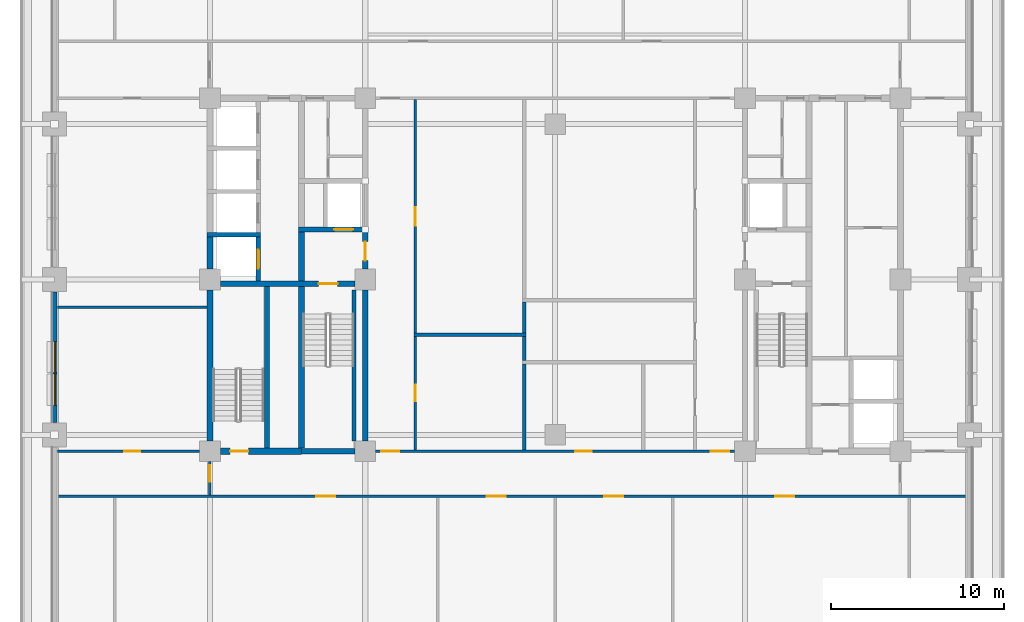
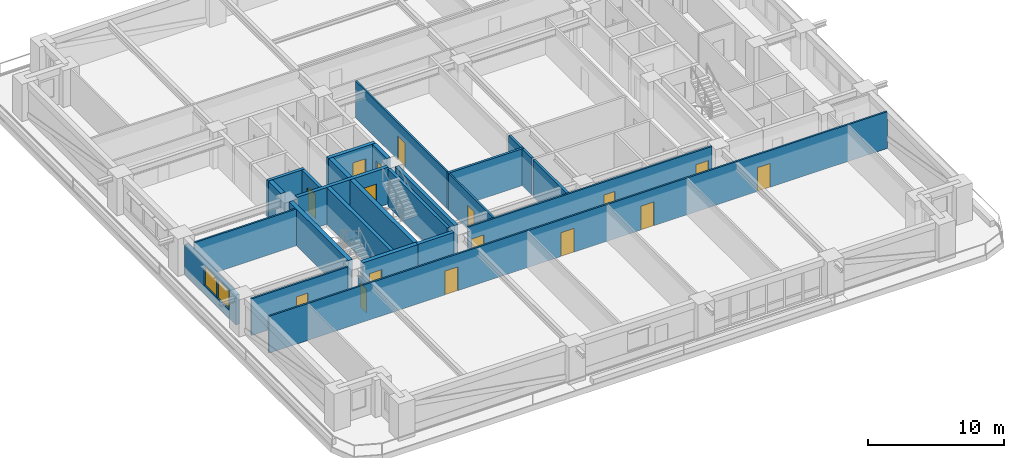
# One storey, part 8 of 20: 26 walls, 16 doors, 2 windows, 18 openings.
"""IFC4 building model written with IfcOpenShell, lengths in metres."""

from ifc_helpers import new_model, si_unit, direction, frame, frame_2d, origin, place, context, subcontext, project, spatial, rectangle, extrude, material, layer, layer_set, type_object, element, fill, save


model = new_model("IFC4")

# Units and contexts
model_context = context("Model", 3, precision=1e-05, world=origin(), true_north=direction((0.0, 1.0)))
body_context = subcontext(model_context, "Body", "Model", "MODEL_VIEW")
ifc_project = project(units=[si_unit("LENGTHUNIT", "METRE"), si_unit("AREAUNIT", "SQUARE_METRE"), si_unit("VOLUMEUNIT", "CUBIC_METRE"), si_unit("PLANEANGLEUNIT", "RADIAN"), si_unit("MASSUNIT", "GRAM", prefix="KILO")], contexts=[model_context])

# Site, building, storey
site_placement = place(None, origin())
site = spatial("IfcSite", under=ifc_project, at=site_placement, CompositionType="ELEMENT")
building_placement = place(site_placement, origin())
building = spatial("IfcBuilding", under=site, at=building_placement, Name="Zulmaris Gate Convention Tower", CompositionType="ELEMENT")
storey_placement = place(building_placement, frame((0.0, 0.0, 71.469970703125)))
storey = spatial("IfcBuildingStorey", under=building, at=storey_placement, Name="L17", CompositionType="ELEMENT", Elevation=71.469970703125)

# Wall
ifc_material_1 = material(Name="Concrete C50/60", Category="concrete")
ifc_layer_1 = layer(ifc_material_1, 0.25, Name="Concrete C50/60")
ifc_layer_set_1 = layer_set([ifc_layer_1], Name="Concrete C50/60")
wall_type_1 = type_object("IfcWallType", Name="CORE-250", PredefinedType="SOLIDWALL", material=ifc_layer_set_1)
wall_1_placement = place(storey_placement, frame((-20.175048828125, 2.60009765625, 0.0), z_axis=(0.0, 0.0, 1.0), x_axis=(1.0, 0.0, 0.0)))
element("IfcWall", 1, at=wall_1_placement, inside=storey, type_object=wall_type_1, Name="WL-L17-009", PredefinedType="SOLIDWALL", context=body_context, shape_type="SweptSolid", body=[
    extrude(rectangle(XDim=3.10009765625, YDim=0.25, at=frame_2d((1.550048828125, 0.0))), origin(), (0.0, 0.0, 1.0), 3.320068359375),
])

# Wall, opening, door
wall_2_placement = place(storey_placement, frame((-17.199951171875, -0.097900390625, 0.0), z_axis=(0.0, 0.0, 1.0), x_axis=(0.0, 1.0, 0.0)))
wall_2 = element("IfcWall", 2, at=wall_2_placement, inside=storey, type_object=wall_type_1, Name="WL-L17-042", PredefinedType="SOLIDWALL", context=body_context, shape_type="SweptSolid", body=[
    extrude(rectangle(XDim=2.57080078125, YDim=0.25, at=frame_2d((1.285400390625, 0.0))), origin(), (0.0, 0.0, 1.0), 3.320068359375),
])
opening_1_placement = place(wall_2_placement, frame((0.722900390625, 0.0, 0.0)))
opening_1 = element("IfcOpeningElement", 3, at=opening_1_placement, cuts=wall_2, Name="Opening D-06", PredefinedType="OPENING", context=body_context, shape_type="SweptSolid", body=[
    extrude(rectangle(XDim=1.10009765625, YDim=2.199951171875, at=frame_2d((0.550048828125, 1.10009765625))), frame((0.0, 0.135009765625, 0.0), z_axis=(0.0, -1.0, 0.0), x_axis=(1.0, 0.0, 0.0)), (0.0, 0.0, 1.0), 0.27001953125),
])
ifc_material_2 = material(Name="Brushed Stainless Steel", Category="steel")
door_type_1 = type_object("IfcDoorType", Name="LD-1100", OperationType="NOTDEFINED", PredefinedType="DOOR", material=ifc_material_2)
door_1_placement = place(opening_1_placement, origin())
door_1 = element("IfcDoor", 4, at=door_1_placement, inside=storey, type_object=door_type_1, Name="L17 Lift Landing Door LP-01 15", OperationType="SLIDING_TO_LEFT", OverallHeight=2.199951171875, OverallWidth=1.10009765625, PredefinedType="DOOR", context=body_context, shape_type="SweptSolid", body=[
    extrude(rectangle(XDim=1.10009765625, YDim=2.199951171875, at=frame_2d((0.550048828125, 1.10009765625))), frame((0.0, 0.02490234375, 0.0), z_axis=(0.0, -1.0, 0.0), x_axis=(1.0, 0.0, 0.0)), (0.0, 0.0, 1.0), 0.050048828125),
])
fill(opening_1, door_1)

# Walls
wall_3_placement = place(storey_placement, frame((-11.64990234375, -9.345947265625, 0.0), z_axis=(0.0, 0.0, 1.0), x_axis=(0.0, 1.0, 0.0)))
element("IfcWall", 5, at=wall_3_placement, inside=storey, type_object=wall_type_1, Name="WL-L17-052", PredefinedType="SOLIDWALL", context=body_context, shape_type="SweptSolid", body=[
    extrude(rectangle(XDim=8.741943359375, YDim=0.25, at=frame_2d((4.37109375, 0.0))), origin(), (0.0, 0.0, 1.0), 3.320068359375),
])
ifc_layer_2 = layer(ifc_material_1, 0.300048828125, Name="Concrete C50/60")
ifc_layer_set_2 = layer_set([ifc_layer_2], Name="Concrete C50/60")
wall_type_2 = type_object("IfcWallType", Name="CORE-300", PredefinedType="SHEAR", material=ifc_layer_set_2)
wall_4_placement = place(storey_placement, frame((-14.699951171875, -9.949951171875, 0.0), z_axis=(0.0, 0.0, 1.0), x_axis=(1.0, 0.0, 0.0)))
element("IfcWall", 6, at=wall_4_placement, inside=storey, type_object=wall_type_2, Name="WL-L17-002", PredefinedType="SHEAR", context=body_context, shape_type="SweptSolid", body=[
    extrude(rectangle(XDim=3.095947265625, YDim=0.300048828125, at=frame_2d((1.5478515625, 0.0))), origin(), (0.0, 0.0, 1.0), 3.320068359375),
])

# Wall, opening, door
wall_5_placement = place(storey_placement, frame((-19.39599609375, -0.25, 0.0), z_axis=(0.0, 0.0, 1.0), x_axis=(1.0, 0.0, 0.0)))
wall_5 = element("IfcWall", 7, at=wall_5_placement, inside=storey, type_object=wall_type_2, Name="WL-L17-007", PredefinedType="SHEAR", context=body_context, shape_type="SweptSolid", body=[
    extrude(rectangle(XDim=7.7919921875, YDim=0.300048828125, at=frame_2d((3.89599609375, 0.0))), origin(), (0.0, 0.0, 1.0), 3.320068359375),
])
opening_2_placement = place(wall_5_placement, frame((5.696044921875, 0.0, 0.0)))
opening_2 = element("IfcOpeningElement", 8, at=opening_2_placement, cuts=wall_5, Name="Opening D-08", PredefinedType="OPENING", context=body_context, shape_type="SweptSolid", body=[
    extrude(rectangle(XDim=1.10009765625, YDim=2.14990234375, at=frame_2d((0.550048828125, 1.074951171875))), frame((0.0, 0.16015625, 0.0), z_axis=(0.0, -1.0, 0.0), x_axis=(1.0, 0.0, 0.0)), (0.0, 0.0, 1.0), 0.320068359375),
])
ifc_material_3 = material(Name="Fire-Rated Steel", Category="steel")
door_type_2 = type_object("IfcDoorType", Name="DR-1100-FD", OperationType="NOTDEFINED", PredefinedType="DOOR", material=ifc_material_3)
door_2_placement = place(opening_2_placement, origin())
door_2 = element("IfcDoor", 9, at=door_2_placement, inside=storey, type_object=door_type_2, Name="L17 Exit Stair ST-1 Door 01", OperationType="SINGLE_SWING_RIGHT", OverallHeight=2.14990234375, OverallWidth=1.10009765625, PredefinedType="DOOR", context=body_context, shape_type="SweptSolid", body=[
    extrude(rectangle(XDim=1.10009765625, YDim=2.14990234375, at=frame_2d((0.550048828125, 1.074951171875))), frame((0.0, 0.02490234375, 0.0), z_axis=(0.0, -1.0, 0.0), x_axis=(1.0, 0.0, 0.0)), (0.0, 0.0, 1.0), 0.050048828125),
])
fill(opening_2, door_2)

wall_6_placement = place(storey_placement, frame((-14.875, 2.89990234375, 0.0), z_axis=(0.0, 0.0, 1.0), x_axis=(1.0, 0.0, 0.0)))
wall_6 = element("IfcWall", 10, at=wall_6_placement, inside=storey, type_object=wall_type_2, Name="WL-L17-010", PredefinedType="SHEAR", context=body_context, shape_type="SweptSolid", body=[
    extrude(rectangle(XDim=4.02490234375, YDim=0.300048828125, at=frame_2d((2.012451171875, 0.0))), origin(), (0.0, 0.0, 1.0), 3.320068359375),
])
opening_3_placement = place(wall_6_placement, frame((2.074951171875, 0.0, 0.0)))
opening_3 = element("IfcOpeningElement", 11, at=opening_3_placement, cuts=wall_6, Name="Opening D-06", PredefinedType="OPENING", context=body_context, shape_type="SweptSolid", body=[
    extrude(rectangle(XDim=1.10009765625, YDim=2.199951171875, at=frame_2d((0.550048828125, 1.10009765625))), frame((0.0, 0.16015625, 0.0), z_axis=(0.0, -1.0, 0.0), x_axis=(1.0, 0.0, 0.0)), (0.0, 0.0, 1.0), 0.320068359375),
])
door_3_placement = place(opening_3_placement, origin())
door_3 = element("IfcDoor", 12, at=door_3_placement, inside=storey, type_object=door_type_1, Name="L17 Lift Landing Door LF-01 03", OperationType="SLIDING_TO_LEFT", OverallHeight=2.199951171875, OverallWidth=1.10009765625, PredefinedType="DOOR", context=body_context, shape_type="SweptSolid", body=[
    extrude(rectangle(XDim=1.10009765625, YDim=2.199951171875, at=frame_2d((0.550048828125, 1.10009765625))), frame((0.0, 0.02490234375, 0.0), z_axis=(0.0, -1.0, 0.0), x_axis=(1.0, 0.0, 0.0)), (0.0, 0.0, 1.0), 0.050048828125),
])
fill(opening_3, door_3)

# Walls
wall_7_placement = place(storey_placement, frame((-16.699951171875, -9.77294921875, 0.0), z_axis=(0.0, 0.0, 1.0), x_axis=(0.0, 1.0, 0.0)))
element("IfcWall", 13, at=wall_7_placement, inside=storey, type_object=wall_type_2, Name="WL-L17-046", PredefinedType="SHEAR", context=body_context, shape_type="SweptSolid", body=[
    extrude(rectangle(XDim=9.370849609375, YDim=0.300048828125, at=frame_2d((4.685546875, 0.0))), origin(), (0.0, 0.0, 1.0), 3.320068359375),
])
wall_8_placement = place(storey_placement, frame((-11.0, -9.345947265625, 0.0), z_axis=(0.0, 0.0, 1.0), x_axis=(0.0, 1.0, 0.0)))
element("IfcWall", 14, at=wall_8_placement, inside=storey, type_object=wall_type_2, Name="WL-L17-053", PredefinedType="SHEAR", context=body_context, shape_type="SweptSolid", body=[
    extrude(rectangle(XDim=8.741943359375, YDim=0.300048828125, at=frame_2d((4.37109375, 0.0))), origin(), (0.0, 0.0, 1.0), 3.320068359375),
])

# Wall, opening, door
wall_9_placement = place(storey_placement, frame((-11.0, 0.60400390625, 0.0), z_axis=(0.0, 0.0, 1.0), x_axis=(0.0, 1.0, 0.0)))
wall_9 = element("IfcWall", 15, at=wall_9_placement, inside=storey, type_object=wall_type_2, Name="WL-L17-054", PredefinedType="SHEAR", context=body_context, shape_type="SweptSolid", body=[
    extrude(rectangle(XDim=2.14404296875, YDim=0.300048828125, at=frame_2d((1.072021484375, 0.0))), origin(), (0.0, 0.0, 1.0), 3.320068359375),
])
opening_4_placement = place(wall_9_placement, frame((0.49609375, 0.0, 0.0)))
opening_4 = element("IfcOpeningElement", 16, at=opening_4_placement, cuts=wall_9, Name="Opening D-08", PredefinedType="OPENING", context=body_context, shape_type="SweptSolid", body=[
    extrude(rectangle(XDim=1.10009765625, YDim=2.14990234375, at=frame_2d((0.550048828125, 1.074951171875))), frame((0.0, 0.16015625, 0.0), z_axis=(0.0, -1.0, 0.0), x_axis=(1.0, 0.0, 0.0)), (0.0, 0.0, 1.0), 0.320068359375),
])
door_4_placement = place(opening_4_placement, origin())
door_4 = element("IfcDoor", 17, at=door_4_placement, inside=storey, type_object=door_type_2, Name="L17 West Firefighting Lobby Door 02", OperationType="SINGLE_SWING_LEFT", OverallHeight=2.14990234375, OverallWidth=1.10009765625, PredefinedType="DOOR", context=body_context, shape_type="SweptSolid", body=[
    extrude(rectangle(XDim=1.10009765625, YDim=2.14990234375, at=frame_2d((0.550048828125, 1.074951171875))), frame((0.0, 0.02490234375, 0.0), z_axis=(0.0, -1.0, 0.0), x_axis=(1.0, 0.0, 0.0)), (0.0, 0.0, 1.0), 0.050048828125),
])
fill(opening_4, door_4)

ifc_material_4 = material(Name="Concrete C55/67", Category="concrete")
ifc_layer_3 = layer(ifc_material_4, 0.35009765625, Name="Concrete C55/67")
ifc_layer_set_3 = layer_set([ifc_layer_3], Name="Concrete C55/67")
wall_type_3 = type_object("IfcWallType", Name="CORE-350", PredefinedType="SHEAR", material=ifc_layer_set_3)
wall_10_placement = place(storey_placement, frame((-19.39599609375, -9.949951171875, 0.0), z_axis=(0.0, 0.0, 1.0), x_axis=(1.0, 0.0, 0.0)))
wall_10 = element("IfcWall", 18, at=wall_10_placement, inside=storey, type_object=wall_type_3, Name="WL-L17-001", PredefinedType="SHEAR", context=body_context, shape_type="SweptSolid", body=[
    extrude(rectangle(XDim=4.696044921875, YDim=0.35009765625, at=frame_2d((2.34814453125, 0.0))), origin(), (0.0, 0.0, 1.0), 3.320068359375),
])
opening_5_placement = place(wall_10_placement, frame((0.571044921875, 0.0, 0.0)))
opening_5 = element("IfcOpeningElement", 19, at=opening_5_placement, cuts=wall_10, Name="Opening D-09", PredefinedType="OPENING", context=body_context, shape_type="SweptSolid", body=[
    extrude(rectangle(XDim=1.050048828125, YDim=2.14990234375, at=frame_2d((0.52490234375, 1.074951171875))), frame((0.0, 0.18505859375, 0.0), z_axis=(0.0, -1.0, 0.0), x_axis=(1.0, 0.0, 0.0)), (0.0, 0.0, 1.0), 0.3701171875),
])
door_type_3 = type_object("IfcDoorType", Name="DR-1050-FD", OperationType="NOTDEFINED", PredefinedType="DOOR", material=ifc_material_3)
door_5_placement = place(opening_5_placement, origin())
door_5 = element("IfcDoor", 20, at=door_5_placement, inside=storey, type_object=door_type_3, Name="L17 Exit Stair ST-3 Door 13", OperationType="SINGLE_SWING_RIGHT", OverallHeight=2.14990234375, OverallWidth=1.050048828125, PredefinedType="DOOR", context=body_context, shape_type="SweptSolid", body=[
    extrude(rectangle(XDim=1.050048828125, YDim=2.14990234375, at=frame_2d((0.52490234375, 1.074951171875))), frame((0.0, 0.02490234375, 0.0), z_axis=(0.0, -1.0, 0.0), x_axis=(1.0, 0.0, 0.0)), (0.0, 0.0, 1.0), 0.050048828125),
])
fill(opening_5, door_5)

# Walls
wall_11_placement = place(storey_placement, frame((-20.0, -9.345947265625, 0.0), z_axis=(0.0, 0.0, 1.0), x_axis=(0.0, 1.0, 0.0)))
element("IfcWall", 21, at=wall_11_placement, inside=storey, type_object=wall_type_3, Name="WL-L17-037", PredefinedType="SHEAR", context=body_context, shape_type="SweptSolid", body=[
    extrude(rectangle(XDim=8.741943359375, YDim=0.35009765625, at=frame_2d((4.37109375, 0.0))), origin(), (0.0, 0.0, 1.0), 3.320068359375),
])
wall_12_placement = place(storey_placement, frame((-20.0, 0.60400390625, 0.0), z_axis=(0.0, 0.0, 1.0), x_axis=(0.0, 1.0, 0.0)))
element("IfcWall", 22, at=wall_12_placement, inside=storey, type_object=wall_type_3, Name="WL-L17-038", PredefinedType="SHEAR", context=body_context, shape_type="SweptSolid", body=[
    extrude(rectangle(XDim=1.868896484375, YDim=0.35009765625, at=frame_2d((0.9345703125, 0.0))), origin(), (0.0, 0.0, 1.0), 3.320068359375),
])
wall_13_placement = place(storey_placement, frame((-14.699951171875, -9.77294921875, 0.0), z_axis=(0.0, 0.0, 1.0), x_axis=(0.0, 1.0, 0.0)))
element("IfcWall", 23, at=wall_13_placement, inside=storey, type_object=wall_type_3, Name="WL-L17-047", PredefinedType="SHEAR", context=body_context, shape_type="SweptSolid", body=[
    extrude(rectangle(XDim=9.370849609375, YDim=0.35009765625, at=frame_2d((4.685546875, 0.0))), origin(), (0.0, 0.0, 1.0), 3.320068359375),
])
wall_14_placement = place(storey_placement, frame((-14.699951171875, -0.097900390625, 0.0), z_axis=(0.0, 0.0, 1.0), x_axis=(0.0, 1.0, 0.0)))
element("IfcWall", 24, at=wall_14_placement, inside=storey, type_object=wall_type_3, Name="WL-L17-048", PredefinedType="SHEAR", context=body_context, shape_type="SweptSolid", body=[
    extrude(rectangle(XDim=2.845947265625, YDim=0.35009765625, at=frame_2d((1.4228515625, 0.0))), origin(), (0.0, 0.0, 1.0), 3.320068359375),
])

# Wall, openings, doors
ifc_material_5 = material(Name="Gypsum Metal Stud Partition")
ifc_layer_4 = layer(ifc_material_5, 0.14990234375, Name="Gypsum Metal Stud Partition")
ifc_layer_set_4 = layer_set([ifc_layer_4], Name="Gypsum Metal Stud Partition")
wall_type_4 = type_object("IfcWallType", Name="PART-150", PredefinedType="PARTITIONING", material=ifc_layer_set_4)
wall_15_placement = place(storey_placement, frame((-28.8349609375, -12.550048828125, 0.0), z_axis=(0.0, 0.0, 1.0), x_axis=(1.0, 0.0, 0.0)))
wall_15 = element("IfcWall", 25, at=wall_15_placement, inside=storey, type_object=wall_type_4, Name="WL-L17-020", PredefinedType="PARTITIONING", context=body_context, shape_type="SweptSolid", body=[
    extrude(rectangle(XDim=52.669921875, YDim=0.14990234375, at=frame_2d((26.3349609375, 0.0))), origin(), (0.0, 0.0, 1.0), 3.320068359375),
])
opening_6_placement = place(wall_15_placement, frame((14.985107421875, 0.0, 0.0)))
opening_6 = element("IfcOpeningElement", 26, at=opening_6_placement, cuts=wall_15, Name="Opening D-08", PredefinedType="OPENING", context=body_context, shape_type="SweptSolid", body=[
    extrude(rectangle(XDim=1.10009765625, YDim=2.14990234375, at=frame_2d((0.550048828125, 1.074951171875))), frame((0.0, 0.0849609375, 0.0), z_axis=(0.0, -1.0, 0.0), x_axis=(1.0, 0.0, 0.0)), (0.0, 0.0, 1.0), 0.169921875),
])
opening_7_placement = place(wall_15_placement, frame((24.885009765625, 0.0, 0.0)))
opening_7 = element("IfcOpeningElement", 27, at=opening_7_placement, cuts=wall_15, Name="Opening D-08", PredefinedType="OPENING", context=body_context, shape_type="SweptSolid", body=[
    extrude(rectangle(XDim=1.10009765625, YDim=2.14990234375, at=frame_2d((0.550048828125, 1.074951171875))), frame((0.0, 0.0849609375, 0.0), z_axis=(0.0, -1.0, 0.0), x_axis=(1.0, 0.0, 0.0)), (0.0, 0.0, 1.0), 0.169921875),
])
opening_8_placement = place(wall_15_placement, frame((31.68505859375, 0.0, 0.0)))
opening_8 = element("IfcOpeningElement", 28, at=opening_8_placement, cuts=wall_15, Name="Opening D-08", PredefinedType="OPENING", context=body_context, shape_type="SweptSolid", body=[
    extrude(rectangle(XDim=1.10009765625, YDim=2.14990234375, at=frame_2d((0.550048828125, 1.074951171875))), frame((0.0, 0.0849609375, 0.0), z_axis=(0.0, -1.0, 0.0), x_axis=(1.0, 0.0, 0.0)), (0.0, 0.0, 1.0), 0.169921875),
])
opening_9_placement = place(wall_15_placement, frame((41.5849609375, 0.0, 0.0)))
opening_9 = element("IfcOpeningElement", 29, at=opening_9_placement, cuts=wall_15, Name="Opening D-08", PredefinedType="OPENING", context=body_context, shape_type="SweptSolid", body=[
    extrude(rectangle(XDim=1.10009765625, YDim=2.14990234375, at=frame_2d((0.550048828125, 1.074951171875))), frame((0.0, 0.0849609375, 0.0), z_axis=(0.0, -1.0, 0.0), x_axis=(1.0, 0.0, 0.0)), (0.0, 0.0, 1.0), 0.169921875),
])
door_6_placement = place(opening_6_placement, origin())
door_6 = element("IfcDoor", 30, at=door_6_placement, inside=storey, type_object=door_type_2, Name="L17 West Sky-Garden Workplace Studio Door 30", OperationType="SINGLE_SWING_LEFT", OverallHeight=2.14990234375, OverallWidth=1.10009765625, PredefinedType="DOOR", context=body_context, shape_type="SweptSolid", body=[
    extrude(rectangle(XDim=1.10009765625, YDim=2.14990234375, at=frame_2d((0.550048828125, 1.074951171875))), frame((0.0, 0.02490234375, 0.0), z_axis=(0.0, -1.0, 0.0), x_axis=(1.0, 0.0, 0.0)), (0.0, 0.0, 1.0), 0.050048828125),
])
fill(opening_6, door_6)
door_7_placement = place(opening_7_placement, origin())
door_7 = element("IfcDoor", 31, at=door_7_placement, inside=storey, type_object=door_type_2, Name="L17 Sky-Garden West Conservatory Door 31", OperationType="SINGLE_SWING_RIGHT", OverallHeight=2.14990234375, OverallWidth=1.10009765625, PredefinedType="DOOR", context=body_context, shape_type="SweptSolid", body=[
    extrude(rectangle(XDim=1.10009765625, YDim=2.14990234375, at=frame_2d((0.550048828125, 1.074951171875))), frame((0.0, 0.02490234375, 0.0), z_axis=(0.0, -1.0, 0.0), x_axis=(1.0, 0.0, 0.0)), (0.0, 0.0, 1.0), 0.050048828125),
])
fill(opening_7, door_7)
door_8_placement = place(opening_8_placement, origin())
door_8 = element("IfcDoor", 32, at=door_8_placement, inside=storey, type_object=door_type_2, Name="L17 Sky-Garden Botanical Lounge Door 32", OperationType="SINGLE_SWING_LEFT", OverallHeight=2.14990234375, OverallWidth=1.10009765625, PredefinedType="DOOR", context=body_context, shape_type="SweptSolid", body=[
    extrude(rectangle(XDim=1.10009765625, YDim=2.14990234375, at=frame_2d((0.550048828125, 1.074951171875))), frame((0.0, 0.02490234375, 0.0), z_axis=(0.0, -1.0, 0.0), x_axis=(1.0, 0.0, 0.0)), (0.0, 0.0, 1.0), 0.050048828125),
])
fill(opening_8, door_8)
door_9_placement = place(opening_9_placement, origin())
door_9 = element("IfcDoor", 33, at=door_9_placement, inside=storey, type_object=door_type_2, Name="L17 East Botanical Reading Pantry Door 33", OperationType="SINGLE_SWING_RIGHT", OverallHeight=2.14990234375, OverallWidth=1.10009765625, PredefinedType="DOOR", context=body_context, shape_type="SweptSolid", body=[
    extrude(rectangle(XDim=1.10009765625, YDim=2.14990234375, at=frame_2d((0.550048828125, 1.074951171875))), frame((0.0, 0.02490234375, 0.0), z_axis=(0.0, -1.0, 0.0), x_axis=(1.0, 0.0, 0.0)), (0.0, 0.0, 1.0), 0.050048828125),
])
fill(opening_9, door_9)

# Wall, opening, door
wall_16_placement = place(storey_placement, frame((-28.8349609375, -9.949951171875, 0.0), z_axis=(0.0, 0.0, 1.0), x_axis=(1.0, 0.0, 0.0)))
wall_16 = element("IfcWall", 34, at=wall_16_placement, inside=storey, type_object=wall_type_4, Name="WL-L17-021", PredefinedType="PARTITIONING", context=body_context, shape_type="SweptSolid", body=[
    extrude(rectangle(XDim=8.22900390625, YDim=0.14990234375, at=frame_2d((4.114501953125, 0.0))), origin(), (0.0, 0.0, 1.0), 3.320068359375),
])
opening_10_placement = place(wall_16_placement, frame((3.860107421875, 0.0, 0.0)))
opening_10 = element("IfcOpeningElement", 35, at=opening_10_placement, cuts=wall_16, Name="Opening D-11", PredefinedType="OPENING", context=body_context, shape_type="SweptSolid", body=[
    extrude(rectangle(XDim=0.949951171875, YDim=2.14990234375, at=frame_2d((0.47509765625, 1.074951171875))), frame((0.0, 0.0849609375, 0.0), z_axis=(0.0, -1.0, 0.0), x_axis=(1.0, 0.0, 0.0)), (0.0, 0.0, 1.0), 0.169921875),
])
ifc_material_6 = material(Name="Fire-Rated Timber", Category="wood")
door_type_4 = type_object("IfcDoorType", Name="DR-950-FD", OperationType="NOTDEFINED", PredefinedType="DOOR", material=ifc_material_6)
door_10_placement = place(opening_10_placement, origin())
door_10 = element("IfcDoor", 36, at=door_10_placement, inside=storey, type_object=door_type_4, Name="L17 SW Partner Door 43", OperationType="SINGLE_SWING_RIGHT", OverallHeight=2.14990234375, OverallWidth=0.949951171875, PredefinedType="DOOR", context=body_context, shape_type="SweptSolid", body=[
    extrude(rectangle(XDim=0.949951171875, YDim=2.14990234375, at=frame_2d((0.47509765625, 1.074951171875))), frame((0.0, 0.02490234375, 0.0), z_axis=(0.0, -1.0, 0.0), x_axis=(1.0, 0.0, 0.0)), (0.0, 0.0, 1.0), 0.050048828125),
])
fill(opening_10, door_10)

# Wall, openings, doors
wall_17_placement = place(storey_placement, frame((-10.39404296875, -9.949951171875, 0.0), z_axis=(0.0, 0.0, 1.0), x_axis=(1.0, 0.0, 0.0)))
wall_17 = element("IfcWall", 37, at=wall_17_placement, inside=storey, type_object=wall_type_4, Name="WL-L17-022", PredefinedType="PARTITIONING", context=body_context, shape_type="SweptSolid", body=[
    extrude(rectangle(XDim=20.7880859375, YDim=0.14990234375, at=frame_2d((10.39404296875, 0.0))), origin(), (0.0, 0.0, 1.0), 3.320068359375),
])
opening_11_placement = place(wall_17_placement, frame((0.319091796875, 0.0, 0.0)))
opening_11 = element("IfcOpeningElement", 38, at=opening_11_placement, cuts=wall_17, Name="Opening D-09", PredefinedType="OPENING", context=body_context, shape_type="SweptSolid", body=[
    extrude(rectangle(XDim=1.050048828125, YDim=2.14990234375, at=frame_2d((0.52490234375, 1.074951171875))), frame((0.0, 0.0849609375, 0.0), z_axis=(0.0, -1.0, 0.0), x_axis=(1.0, 0.0, 0.0)), (0.0, 0.0, 1.0), 0.169921875),
])
opening_12_placement = place(wall_17_placement, frame((19.4189453125, 0.0, 0.0)))
opening_12 = element("IfcOpeningElement", 39, at=opening_12_placement, cuts=wall_17, Name="Opening D-09", PredefinedType="OPENING", context=body_context, shape_type="SweptSolid", body=[
    extrude(rectangle(XDim=1.050048828125, YDim=2.14990234375, at=frame_2d((0.52490234375, 1.074951171875))), frame((0.0, 0.0849609375, 0.0), z_axis=(0.0, -1.0, 0.0), x_axis=(1.0, 0.0, 0.0)), (0.0, 0.0, 1.0), 0.169921875),
])
opening_13_placement = place(wall_17_placement, frame((11.569091796875, 0.0, 0.0)))
opening_13 = element("IfcOpeningElement", 40, at=opening_13_placement, cuts=wall_17, Name="Opening D-11", PredefinedType="OPENING", context=body_context, shape_type="SweptSolid", body=[
    extrude(rectangle(XDim=0.949951171875, YDim=2.14990234375, at=frame_2d((0.47509765625, 1.074951171875))), frame((0.0, 0.0849609375, 0.0), z_axis=(0.0, -1.0, 0.0), x_axis=(1.0, 0.0, 0.0)), (0.0, 0.0, 1.0), 0.169921875),
])
door_11_placement = place(opening_11_placement, origin())
door_11 = element("IfcDoor", 41, at=door_11_placement, inside=storey, type_object=door_type_3, Name="L17 SW Spine Link Door 25", OperationType="SINGLE_SWING_RIGHT", OverallHeight=2.14990234375, OverallWidth=1.050048828125, PredefinedType="DOOR", context=body_context, shape_type="SweptSolid", body=[
    extrude(rectangle(XDim=1.050048828125, YDim=2.14990234375, at=frame_2d((0.52490234375, 1.074951171875))), frame((0.0, 0.02490234375, 0.0), z_axis=(0.0, -1.0, 0.0), x_axis=(1.0, 0.0, 0.0)), (0.0, 0.0, 1.0), 0.050048828125),
])
fill(opening_11, door_11)
door_12_placement = place(opening_12_placement, origin())
door_12 = element("IfcDoor", 42, at=door_12_placement, inside=storey, type_object=door_type_3, Name="L17 SE Spine Link Door 27", OperationType="SINGLE_SWING_RIGHT", OverallHeight=2.14990234375, OverallWidth=1.050048828125, PredefinedType="DOOR", context=body_context, shape_type="SweptSolid", body=[
    extrude(rectangle(XDim=1.050048828125, YDim=2.14990234375, at=frame_2d((0.52490234375, 1.074951171875))), frame((0.0, 0.02490234375, 0.0), z_axis=(0.0, -1.0, 0.0), x_axis=(1.0, 0.0, 0.0)), (0.0, 0.0, 1.0), 0.050048828125),
])
fill(opening_12, door_12)
door_13_placement = place(opening_13_placement, origin())
door_13 = element("IfcDoor", 43, at=door_13_placement, inside=storey, type_object=door_type_4, Name="L17 Print Room Door 39", OperationType="SINGLE_SWING_RIGHT", OverallHeight=2.14990234375, OverallWidth=0.949951171875, PredefinedType="DOOR", context=body_context, shape_type="SweptSolid", body=[
    extrude(rectangle(XDim=0.949951171875, YDim=2.14990234375, at=frame_2d((0.47509765625, 1.074951171875))), frame((0.0, 0.02490234375, 0.0), z_axis=(0.0, -1.0, 0.0), x_axis=(1.0, 0.0, 0.0)), (0.0, 0.0, 1.0), 0.050048828125),
])
fill(opening_13, door_13)

# Wall
wall_18_placement = place(storey_placement, frame((-28.8349609375, -1.60009765625, 0.0), z_axis=(0.0, 0.0, 1.0), x_axis=(1.0, 0.0, 0.0)))
element("IfcWall", 44, at=wall_18_placement, inside=storey, type_object=wall_type_4, Name="WL-L17-028", PredefinedType="PARTITIONING", context=body_context, shape_type="SweptSolid", body=[
    extrude(rectangle(XDim=8.656982421875, YDim=0.14990234375, at=frame_2d((4.32861328125, 0.0))), origin(), (0.0, 0.0, 1.0), 3.320068359375),
])

# Wall, opening, door
wall_19_placement = place(storey_placement, frame((-20.0, -12.471923828125, 0.0), z_axis=(0.0, 0.0, 1.0), x_axis=(0.0, 1.0, 0.0)))
wall_19 = element("IfcWall", 45, at=wall_19_placement, inside=storey, type_object=wall_type_4, Name="WL-L17-074", PredefinedType="PARTITIONING", context=body_context, shape_type="SweptSolid", body=[
    extrude(rectangle(XDim=1.916015625, YDim=0.14990234375, at=frame_2d((0.9580078125, 0.0))), origin(), (0.0, 0.0, 1.0), 2.659912109375),
])
opening_14_placement = place(wall_19_placement, frame((0.7470703125, 0.0, 0.0)))
opening_14 = element("IfcOpeningElement", 46, at=opening_14_placement, cuts=wall_19, Name="Opening D-11", PredefinedType="OPENING", context=body_context, shape_type="SweptSolid", body=[
    extrude(rectangle(XDim=0.949951171875, YDim=2.14990234375, at=frame_2d((0.47509765625, 1.074951171875))), frame((0.0, 0.0849609375, 0.0), z_axis=(0.0, -1.0, 0.0), x_axis=(1.0, 0.0, 0.0)), (0.0, 0.0, 1.0), 0.169921875),
])
door_14_placement = place(opening_14_placement, origin())
door_14 = element("IfcDoor", 47, at=door_14_placement, inside=storey, type_object=door_type_4, Name="L17 SW Spur Door 41", OperationType="SINGLE_SWING_RIGHT", OverallHeight=2.14990234375, OverallWidth=0.949951171875, PredefinedType="DOOR", context=body_context, shape_type="SweptSolid", body=[
    extrude(rectangle(XDim=0.949951171875, YDim=2.14990234375, at=frame_2d((0.47509765625, 1.074951171875))), frame((0.0, 0.02490234375, 0.0), z_axis=(0.0, -1.0, 0.0), x_axis=(1.0, 0.0, 0.0)), (0.0, 0.0, 1.0), 0.050048828125),
])
fill(opening_14, door_14)

wall_20_placement = place(storey_placement, frame((-8.10009765625, -9.8720703125, 0.0), z_axis=(0.0, 0.0, 1.0), x_axis=(0.0, 1.0, 0.0)))
wall_20 = element("IfcWall", 48, at=wall_20_placement, inside=storey, type_object=wall_type_4, Name="WL-L17-078", PredefinedType="PARTITIONING", context=body_context, shape_type="SweptSolid", body=[
    extrude(rectangle(XDim=6.569091796875, YDim=0.14990234375, at=frame_2d((3.28466796875, 0.0))), origin(), (0.0, 0.0, 1.0), 3.320068359375),
])
opening_15_placement = place(wall_20_placement, frame((2.826904296875, 0.0, 0.0)))
opening_15 = element("IfcOpeningElement", 49, at=opening_15_placement, cuts=wall_20, Name="Opening D-11", PredefinedType="OPENING", context=body_context, shape_type="SweptSolid", body=[
    extrude(rectangle(XDim=0.949951171875, YDim=2.14990234375, at=frame_2d((0.47509765625, 1.074951171875))), frame((0.0, 0.0849609375, 0.0), z_axis=(0.0, -1.0, 0.0), x_axis=(1.0, 0.0, 0.0)), (0.0, 0.0, 1.0), 0.169921875),
])
door_15_placement = place(opening_15_placement, origin())
door_15 = element("IfcDoor", 50, at=door_15_placement, inside=storey, type_object=door_type_4, Name="L17 Wellness Pantry Door 35", OperationType="SINGLE_SWING_RIGHT", OverallHeight=2.14990234375, OverallWidth=0.949951171875, PredefinedType="DOOR", context=body_context, shape_type="SweptSolid", body=[
    extrude(rectangle(XDim=0.949951171875, YDim=2.14990234375, at=frame_2d((0.47509765625, 1.074951171875))), frame((0.0, 0.02490234375, 0.0), z_axis=(0.0, -1.0, 0.0), x_axis=(1.0, 0.0, 0.0)), (0.0, 0.0, 1.0), 0.050048828125),
])
fill(opening_15, door_15)

wall_21_placement = place(storey_placement, frame((-8.10009765625, -3.096923828125, 0.0), z_axis=(0.0, 0.0, 1.0), x_axis=(0.0, 1.0, 0.0)))
wall_21 = element("IfcWall", 51, at=wall_21_placement, inside=storey, type_object=wall_type_4, Name="WL-L17-079", PredefinedType="PARTITIONING", context=body_context, shape_type="SweptSolid", body=[
    extrude(rectangle(XDim=13.51904296875, YDim=0.14990234375, at=frame_2d((6.759521484375, 0.0))), origin(), (0.0, 0.0, 1.0), 3.320068359375),
])
opening_16_placement = place(wall_21_placement, frame((6.221923828125, 0.0, 0.0)))
opening_16 = element("IfcOpeningElement", 52, at=opening_16_placement, cuts=wall_21, Name="Opening D-09", PredefinedType="OPENING", context=body_context, shape_type="SweptSolid", body=[
    extrude(rectangle(XDim=1.050048828125, YDim=2.14990234375, at=frame_2d((0.52490234375, 1.074951171875))), frame((0.0, 0.0849609375, 0.0), z_axis=(0.0, -1.0, 0.0), x_axis=(1.0, 0.0, 0.0)), (0.0, 0.0, 1.0), 0.169921875),
])
door_16_placement = place(opening_16_placement, origin())
door_16 = element("IfcDoor", 53, at=door_16_placement, inside=storey, type_object=door_type_3, Name="L17 Boardroom Door 34", OperationType="SINGLE_SWING_LEFT", OverallHeight=2.14990234375, OverallWidth=1.050048828125, PredefinedType="DOOR", context=body_context, shape_type="SweptSolid", body=[
    extrude(rectangle(XDim=1.050048828125, YDim=2.14990234375, at=frame_2d((0.52490234375, 1.074951171875))), frame((0.0, 0.02490234375, 0.0), z_axis=(0.0, -1.0, 0.0), x_axis=(1.0, 0.0, 0.0)), (0.0, 0.0, 1.0), 0.050048828125),
])
fill(opening_16, door_16)

# Walls
ifc_material_7 = material(Name="Autoclaved Aerated Concrete Block and Plasterboard", Category="concrete")
ifc_layer_5 = layer(ifc_material_7, 0.199951171875, Name="Autoclaved Aerated Concrete Block and Plasterboard")
ifc_layer_set_5 = layer_set([ifc_layer_5], Name="Autoclaved Aerated Concrete Block and Plasterboard")
wall_type_5 = type_object("IfcWallType", Name="PART-200", PredefinedType="PARTITIONING", material=ifc_layer_set_5)
wall_22_placement = place(storey_placement, frame((-8.175048828125, -3.199951171875, 0.0), z_axis=(0.0, 0.0, 1.0), x_axis=(1.0, 0.0, 0.0)))
element("IfcWall", 54, at=wall_22_placement, inside=storey, type_object=wall_type_5, Name="WL-L17-027", PredefinedType="PARTITIONING", context=body_context, shape_type="SweptSolid", body=[
    extrude(rectangle(XDim=6.47509765625, YDim=0.199951171875, at=frame_2d((3.237548828125, 0.0))), origin(), (0.0, 0.0, 1.0), 3.320068359375),
])
wall_23_placement = place(storey_placement, frame((-1.800048828125, -9.8720703125, 0.0), z_axis=(0.0, 0.0, 1.0), x_axis=(0.0, 1.0, 0.0)))
element("IfcWall", 55, at=wall_23_placement, inside=storey, type_object=wall_type_5, Name="WL-L17-081", PredefinedType="PARTITIONING", context=body_context, shape_type="SweptSolid", body=[
    extrude(rectangle(XDim=4.968994140625, YDim=0.199951171875, at=frame_2d((2.484375, 0.0))), origin(), (0.0, 0.0, 1.0), 3.320068359375),
])
wall_24_placement = place(storey_placement, frame((-1.800048828125, -4.697021484375, 0.0), z_axis=(0.0, 0.0, 1.0), x_axis=(0.0, 1.0, 0.0)))
element("IfcWall", 56, at=wall_24_placement, inside=storey, type_object=wall_type_5, Name="WL-L17-082", PredefinedType="PARTITIONING", context=body_context, shape_type="SweptSolid", body=[
    extrude(rectangle(XDim=1.39404296875, YDim=0.199951171875, at=frame_2d((0.697021484375, 0.0))), origin(), (0.0, 0.0, 1.0), 3.320068359375),
])
wall_25_placement = place(storey_placement, frame((-1.800048828125, -3.096923828125, 0.0), z_axis=(0.0, 0.0, 1.0), x_axis=(0.0, 1.0, 0.0)))
element("IfcWall", 57, at=wall_25_placement, inside=storey, type_object=wall_type_5, Name="WL-L17-083", PredefinedType="PARTITIONING", context=body_context, shape_type="SweptSolid", body=[
    extrude(rectangle(XDim=1.7939453125, YDim=0.199951171875, at=frame_2d((0.89697265625, 0.0))), origin(), (0.0, 0.0, 1.0), 3.320068359375),
])

# Wall, openings, windows
ifc_material_8 = material(Name="Precast concrete C40/50", Category="concrete")
ifc_layer_6 = layer(ifc_material_8, 0.300048828125, Name="Precast concrete C40/50")
ifc_layer_set_6 = layer_set([ifc_layer_6], Name="Precast concrete C40/50")
wall_type_6 = type_object("IfcWallType", Name="PRECAST-PIER-300", PredefinedType="STANDARD", material=ifc_layer_set_6)
wall_26_placement = place(storey_placement, frame((-29.0, -0.72998046875, 0.0), z_axis=(0.0, 0.0, 1.0), x_axis=(0.0, -1.0, 0.0)))
wall_26 = element("IfcWall", 58, at=wall_26_placement, inside=storey, type_object=wall_type_6, Name="EW-L17-W-1_0", PredefinedType="STANDARD", context=body_context, shape_type="SweptSolid", body=[
    extrude(rectangle(XDim=7.5400390625, YDim=0.300048828125, at=frame_2d((3.77001953125, 0.0))), origin(), (0.0, 0.0, 1.0), 2.7119140625),
])
opening_17_placement = place(wall_26_placement, frame((2.8701171875, 0.0, 0.780029296875)))
opening_17 = element("IfcOpeningElement", 59, at=opening_17_placement, cuts=wall_26, Name="Opening W-02", PredefinedType="OPENING", context=body_context, shape_type="SweptSolid", body=[
    extrude(rectangle(XDim=1.800048828125, YDim=1.719970703125, at=frame_2d((0.89990234375, 0.85986328125))), frame((0.0, 0.16015625, 0.0), z_axis=(0.0, -1.0, 0.0), x_axis=(1.0, 0.0, 0.0)), (0.0, 0.0, 1.0), 0.320068359375),
])
opening_18_placement = place(wall_26_placement, frame((4.7548828125, 0.0, 0.780029296875)))
opening_18 = element("IfcOpeningElement", 60, at=opening_18_placement, cuts=wall_26, Name="Opening W-02", PredefinedType="OPENING", context=body_context, shape_type="SweptSolid", body=[
    extrude(rectangle(XDim=1.800048828125, YDim=1.719970703125, at=frame_2d((0.89990234375, 0.85986328125))), frame((0.0, 0.16015625, 0.0), z_axis=(0.0, -1.0, 0.0), x_axis=(1.0, 0.0, 0.0)), (0.0, 0.0, 1.0), 0.320068359375),
])
ifc_material_9 = material(Name="Low-E Laminated Double Glazing in Aluminium Frame", Category="aluminium")
window_type = type_object("IfcWindowType", Name="WIN-1800x2200", PartitioningType="SINGLE_PANEL", PredefinedType="WINDOW", material=ifc_material_9)
window_1_placement = place(opening_17_placement, origin())
window_1 = element("IfcWindow", 61, at=window_1_placement, inside=storey, type_object=window_type, Name="WN-EW-L17-W-1_0-2", OverallHeight=1.719970703125, OverallWidth=1.800048828125, PartitioningType="SINGLE_PANEL", PredefinedType="WINDOW", context=body_context, shape_type="SweptSolid", body=[
    extrude(rectangle(XDim=1.800048828125, YDim=1.719970703125, at=frame_2d((0.89990234375, 0.85986328125))), frame((0.0, 0.030029296875, 0.0), z_axis=(0.0, -1.0, 0.0), x_axis=(1.0, 0.0, 0.0)), (0.0, 0.0, 1.0), 0.06005859375),
])
fill(opening_17, window_1)
window_2_placement = place(opening_18_placement, origin())
window_2 = element("IfcWindow", 62, at=window_2_placement, inside=storey, type_object=window_type, Name="WN-EW-L17-W-1_0-3", OverallHeight=1.719970703125, OverallWidth=1.800048828125, PartitioningType="SINGLE_PANEL", PredefinedType="WINDOW", context=body_context, shape_type="SweptSolid", body=[
    extrude(rectangle(XDim=1.800048828125, YDim=1.719970703125, at=frame_2d((0.89990234375, 0.85986328125))), frame((0.0, 0.030029296875, 0.0), z_axis=(0.0, -1.0, 0.0), x_axis=(1.0, 0.0, 0.0)), (0.0, 0.0, 1.0), 0.06005859375),
])
fill(opening_18, window_2)

save(model, "model.ifc")
